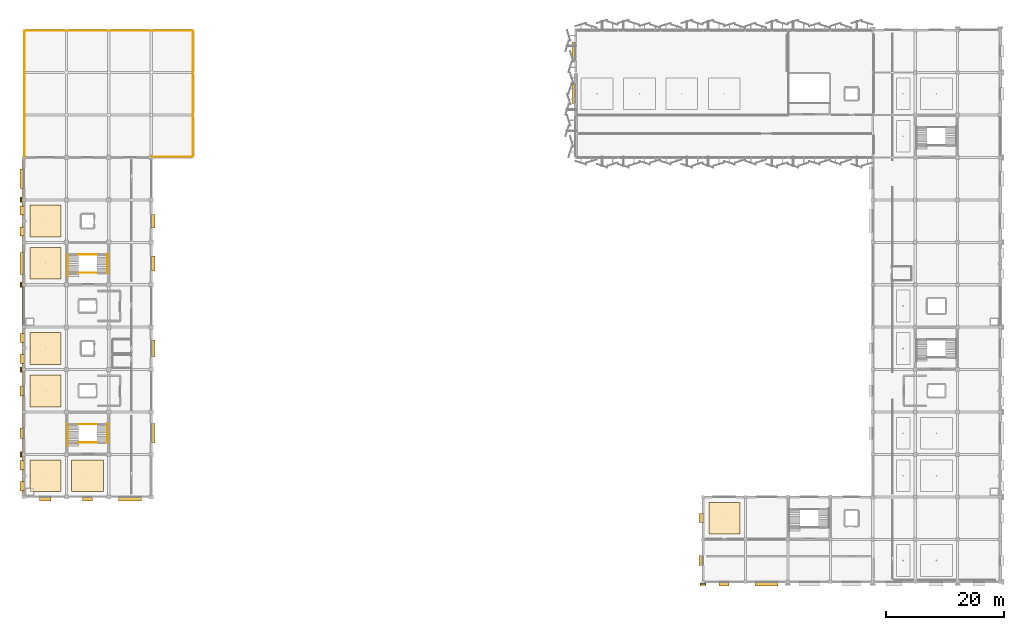
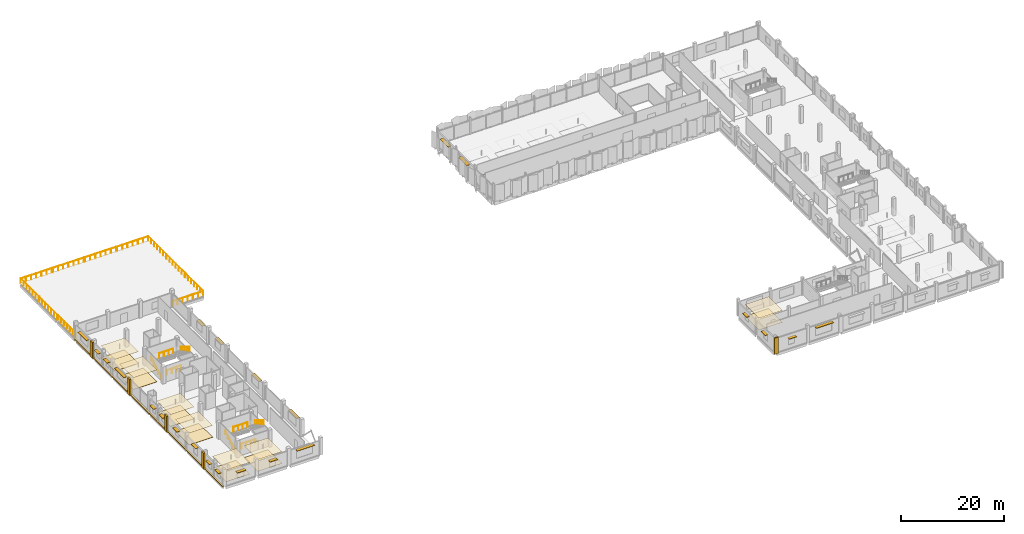
# One storey, part 75 of 77: 23 shading devices, 20 coverings, 19 railings.
"""IFC4 building model written with IfcOpenShell, lengths in metres."""

from ifc_helpers import new_model, si_unit, direction, frame, origin, origin_2d, place, context, subcontext, project, spatial, polyline, rectangle, circle, outline, extrude, material, layer, layer_set, type_object, element, save


model = new_model("IFC4")

# Units and contexts
model_context = context("Model", 3, precision=1e-05, world=origin(), true_north=direction((0.0, 1.0)))
body_context = subcontext(model_context, "Body", "Model", "MODEL_VIEW")
ifc_project = project(units=[si_unit("LENGTHUNIT", "METRE"), si_unit("AREAUNIT", "SQUARE_METRE"), si_unit("VOLUMEUNIT", "CUBIC_METRE"), si_unit("PLANEANGLEUNIT", "RADIAN"), si_unit("MASSUNIT", "GRAM", prefix="KILO")], contexts=[model_context])

# Site, building, storey
site_placement = place(None, origin())
site = spatial("IfcSite", under=ifc_project, at=site_placement, CompositionType="ELEMENT")
building_placement = place(site_placement, origin())
building = spatial("IfcBuilding", under=site, at=building_placement, Name="Kangsadwip Square Police Headquarters", CompositionType="ELEMENT")
storey_placement = place(building_placement, frame((0.0, 0.0, 17.550048828125)))
storey = spatial("IfcBuildingStorey", under=building, at=storey_placement, Name="L04", CompositionType="ELEMENT", Elevation=17.550048828125)

# Railings
ifc_material_1 = material(Name="Structural steel IS 2062 E250 (Grade 250, 250 MPa)", Category="steel")
railing_type_1 = type_object("IfcRailingType", Name="BalustradeGuard1100", PredefinedType="BALUSTRADE", material=ifc_material_1)
for number, where, name in (
    (1, (0.1201171875, 115.080078125, 0.0), "Terrace Balustrade GR-L04-012"),
    (2, (7.320068359375, 115.080078125, 0.0), "Terrace Balustrade GR-L04-013"),
    (3, (14.52001953125, 115.080078125, 0.0), "Terrace Balustrade GR-L04-014"),
    (4, (21.719970703125, 115.080078125, 0.0), "Terrace Balustrade GR-L04-015"),
    (5, (21.719970703125, 93.719970703125, 0.0), "Terrace Balustrade GR-L04-016"),
):
    element("IfcRailing", number, at=place(storey_placement, frame(where)), inside=storey, type_object=railing_type_1, Name=name, PredefinedType="BALUSTRADE", context=body_context, shape_type="SweptSolid", body=[
        extrude(circle(Radius=0.02392578125, at=origin_2d()), frame((0.0, 0.0, 1.09619140625), z_axis=(1.0, 0.0, 0.0), x_axis=(0.0, 1.0, 0.0)), (0.0, 0.0, 1.0), 6.9599609375),
        extrude(circle(Radius=0.02099609375, at=origin_2d()), origin(), (0.0, 0.0, 1.0), 1.072021484375),
        extrude(circle(Radius=0.02099609375, at=origin_2d()), frame((1.159912109375, 0.0, 0.0)), (0.0, 0.0, 1.0), 1.072021484375),
        extrude(circle(Radius=0.02099609375, at=origin_2d()), frame((2.320068359375, 0.0, 0.0)), (0.0, 0.0, 1.0), 1.072021484375),
        extrude(circle(Radius=0.02099609375, at=origin_2d()), frame((3.47998046875, 0.0, 0.0)), (0.0, 0.0, 1.0), 1.072021484375),
        extrude(circle(Radius=0.02099609375, at=origin_2d()), frame((4.639892578125, 0.0, 0.0)), (0.0, 0.0, 1.0), 1.072021484375),
        extrude(circle(Radius=0.02099609375, at=origin_2d()), frame((5.800048828125, 0.0, 0.0)), (0.0, 0.0, 1.0), 1.072021484375),
        extrude(circle(Radius=0.02099609375, at=origin_2d()), frame((6.9599609375, 0.0, 0.0)), (0.0, 0.0, 1.0), 1.072021484375),
    ])
for number, where, name in (
    (6, (28.679931640625, 93.719970703125, 0.0), "Terrace Balustrade GR-L04-017"),
    (7, (0.1201171875, 93.719970703125, 0.0), "Terrace Balustrade GR-L04-018"),
    (8, (28.679931640625, 100.919921875, 0.0), "Terrace Balustrade GR-L04-019"),
    (9, (0.1201171875, 100.919921875, 0.0), "Terrace Balustrade GR-L04-020"),
    (10, (28.679931640625, 108.1201171875, 0.0), "Terrace Balustrade GR-L04-021"),
    (11, (0.1201171875, 108.1201171875, 0.0), "Terrace Balustrade GR-L04-022"),
):
    element("IfcRailing", number, at=place(storey_placement, frame(where)), inside=storey, type_object=railing_type_1, Name=name, PredefinedType="BALUSTRADE", context=body_context, shape_type="SweptSolid", body=[
        extrude(circle(Radius=0.02392578125, at=origin_2d()), frame((0.0, 0.0, 1.09619140625), z_axis=(0.0, 1.0, 0.0), x_axis=(-1.0, 0.0, 0.0)), (0.0, 0.0, 1.0), 6.9599609375),
        extrude(circle(Radius=0.02099609375, at=origin_2d()), origin(), (0.0, 0.0, 1.0), 1.072021484375),
        extrude(circle(Radius=0.02099609375, at=origin_2d()), frame((0.0, 1.159912109375, 0.0)), (0.0, 0.0, 1.0), 1.072021484375),
        extrude(circle(Radius=0.02099609375, at=origin_2d()), frame((0.0, 2.320068359375, 0.0)), (0.0, 0.0, 1.0), 1.072021484375),
        extrude(circle(Radius=0.02099609375, at=origin_2d()), frame((0.0, 3.47998046875, 0.0)), (0.0, 0.0, 1.0), 1.072021484375),
        extrude(circle(Radius=0.02099609375, at=origin_2d()), frame((0.0, 4.639892578125, 0.0)), (0.0, 0.0, 1.0), 1.072021484375),
        extrude(circle(Radius=0.02099609375, at=origin_2d()), frame((0.0, 5.800048828125, 0.0)), (0.0, 0.0, 1.0), 1.072021484375),
        extrude(circle(Radius=0.02099609375, at=origin_2d()), frame((0.0, 6.9599609375, 0.0)), (0.0, 0.0, 1.0), 1.072021484375),
    ])
for number, where, name in (
    (12, (9.22998046875, 45.239990234375, 0.0), "Stair Guard ST-01 L04-20"),
    (13, (9.22998046875, 48.320068359375, 2.10595703125), "Stair Guard ST-01 L04-21"),
    (14, (9.22998046875, 74.0400390625, 0.0), "Stair Guard ST-02 L04-55"),
    (15, (9.22998046875, 77.1201171875, 2.10595703125), "Stair Guard ST-02 L04-56"),
):
    element("IfcRailing", number, at=place(storey_placement, frame(where)), inside=storey, type_object=railing_type_1, Name=name, PredefinedType="BALUSTRADE", context=body_context, shape_type="SweptSolid", body=[
        extrude(circle(Radius=0.02392578125, at=origin_2d()), frame((0.0, 0.0, 1.09619140625), z_axis=(1.0, 0.0, 0.0), x_axis=(0.0, 1.0, 0.0)), (0.0, 0.0, 1.0), 3.14013671875),
        extrude(circle(Radius=0.02099609375, at=origin_2d()), origin(), (0.0, 0.0, 1.0), 1.072021484375),
        extrude(circle(Radius=0.02099609375, at=origin_2d()), frame((1.046630859375, 0.0, 0.0)), (0.0, 0.0, 1.0), 1.072021484375),
        extrude(circle(Radius=0.02099609375, at=origin_2d()), frame((2.093505859375, 0.0, 0.0)), (0.0, 0.0, 1.0), 1.072021484375),
        extrude(circle(Radius=0.02099609375, at=origin_2d()), frame((3.14013671875, 0.0, 0.0)), (0.0, 0.0, 1.0), 1.072021484375),
    ])

# Coverings
ifc_material_2 = material(Name="Seamless anti-static epoxy and polished Kota stone interior flooring", Category="masonry")
ifc_layer_1 = layer(ifc_material_2, 0.02001953125)
ifc_layer_set_1 = layer_set([ifc_layer_1], Name="Seamless anti-static epoxy and polished Kota stone interior flooring")
covering_type_1 = type_object("IfcCoveringType", Name="InteriorStoneEpoxyFloor", PredefinedType="FLOORING", material=ifc_layer_set_1)
covering_1_placement = place(storey_placement, origin())
element("IfcCovering", 16, at=covering_1_placement, inside=storey, type_object=covering_type_1, Name="Interior Floor Finish L04-143", PredefinedType="FLOORING", context=body_context, shape_type="SweptSolid", body=[
    extrude(outline(polyline([(1.0, 36.89990234375), (6.300048828125, 36.89990234375), (6.300048828125, 42.300048828125), (1.0, 42.300048828125), (1.0, 36.89990234375)])), origin(), (0.0, 0.0, 1.0), 0.02001953125),
])
covering_2_placement = place(storey_placement, origin())
element("IfcCovering", 17, at=covering_2_placement, inside=storey, type_object=covering_type_1, Name="Interior Floor Finish L04-144", PredefinedType="FLOORING", context=body_context, shape_type="SweptSolid", body=[
    extrude(outline(polyline([(8.10009765625, 36.89990234375), (13.5, 36.89990234375), (13.5, 42.300048828125), (8.10009765625, 42.300048828125), (8.10009765625, 36.89990234375)])), origin(), (0.0, 0.0, 1.0), 0.02001953125),
])
covering_3_placement = place(storey_placement, origin())
element("IfcCovering", 18, at=covering_3_placement, inside=storey, type_object=covering_type_1, Name="Interior Floor Finish L04-145", PredefinedType="FLOORING", context=body_context, shape_type="SweptSolid", body=[
    extrude(outline(polyline([(1.0, 51.300048828125), (6.300048828125, 51.300048828125), (6.300048828125, 56.699951171875), (1.0, 56.699951171875), (1.0, 51.300048828125)])), origin(), (0.0, 0.0, 1.0), 0.02001953125),
])
covering_4_placement = place(storey_placement, origin())
element("IfcCovering", 19, at=covering_4_placement, inside=storey, type_object=covering_type_1, Name="Interior Floor Finish L04-146", PredefinedType="FLOORING", context=body_context, shape_type="SweptSolid", body=[
    extrude(outline(polyline([(1.0, 58.5), (6.300048828125, 58.5), (6.300048828125, 63.89990234375), (1.0, 63.89990234375), (1.0, 58.5)])), origin(), (0.0, 0.0, 1.0), 0.02001953125),
])
covering_5_placement = place(storey_placement, origin())
element("IfcCovering", 20, at=covering_5_placement, inside=storey, type_object=covering_type_1, Name="Interior Floor Finish L04-147", PredefinedType="FLOORING", context=body_context, shape_type="SweptSolid", body=[
    extrude(outline(polyline([(1.0, 72.949951171875), (6.300048828125, 72.949951171875), (6.300048828125, 78.300048828125), (1.0, 78.300048828125), (1.0, 72.949951171875)])), origin(), (0.0, 0.0, 1.0), 0.02001953125),
])
covering_6_placement = place(storey_placement, origin())
element("IfcCovering", 21, at=covering_6_placement, inside=storey, type_object=covering_type_1, Name="Interior Floor Finish L04-148", PredefinedType="FLOORING", context=body_context, shape_type="SweptSolid", body=[
    extrude(outline(polyline([(1.0, 80.10009765625), (6.300048828125, 80.10009765625), (6.300048828125, 85.5), (1.0, 85.5), (1.0, 80.10009765625)])), origin(), (0.0, 0.0, 1.0), 0.02001953125),
])
covering_7_placement = place(storey_placement, origin())
element("IfcCovering", 22, at=covering_7_placement, inside=storey, type_object=covering_type_1, Name="Interior Floor Finish L04-155", PredefinedType="FLOORING", context=body_context, shape_type="SweptSolid", body=[
    extrude(outline(polyline([(116.199951171875, 29.699951171875), (121.5, 29.699951171875), (121.5, 35.10009765625), (116.199951171875, 35.10009765625), (116.199951171875, 29.699951171875)])), origin(), (0.0, 0.0, 1.0), 0.02001953125),
])

# Railings
ifc_material_3 = material(Name="Structural steel IS 2062 E250 (Grade 250, 250 MPa)", Category="steel")
railing_type_2 = type_object("IfcRailingType", Name="StairPitchHandrail900", PredefinedType="HANDRAIL", material=ifc_material_3)
railing_1_placement = place(storey_placement, frame((7.43994140625, 44.639892578125, 0.0)))
element("IfcRailing", 23, at=railing_1_placement, inside=storey, type_object=railing_type_2, Name="Stair Handrail ST-01 L04-22", PredefinedType="HANDRAIL", context=body_context, shape_type="SweptSolid", body=[
    extrude(circle(Radius=0.02392578125, at=origin_2d()), frame((0.0, 0.0, 0.8759765625), z_axis=(0.0, 0.87023930122, 0.492629230367), x_axis=(-1.0, 0.0, 0.0)), (0.0, 0.0, 1.0), 4.27490234375),
    extrude(circle(Radius=0.02099609375, at=origin_2d()), origin(), (0.0, 0.0, 1.0), 0.851806640625),
    extrude(circle(Radius=0.02099609375, at=origin_2d()), frame((0.0, 0.93017578125, 0.5263671875)), (0.0, 0.0, 1.0), 0.851806640625),
    extrude(circle(Radius=0.02099609375, at=origin_2d()), frame((0.0, 1.860107421875, 1.052978515625)), (0.0, 0.0, 1.0), 0.851806640625),
    extrude(circle(Radius=0.02099609375, at=origin_2d()), frame((0.0, 2.7900390625, 1.57958984375)), (0.0, 0.0, 1.0), 0.851806640625),
    extrude(circle(Radius=0.02099609375, at=origin_2d()), frame((0.0, 3.72021484375, 2.10595703125)), (0.0, 0.0, 1.0), 0.851806640625),
])
railing_2_placement = place(storey_placement, frame((14.159912109375, 48.4599609375, 2.10595703125)))
element("IfcRailing", 24, at=railing_2_placement, inside=storey, type_object=railing_type_2, Name="Stair Handrail ST-01 L04-23", PredefinedType="HANDRAIL", context=body_context, shape_type="SweptSolid", body=[
    extrude(circle(Radius=0.02392578125, at=origin_2d()), frame((0.0, 0.0, 0.8759765625), z_axis=(0.0, -0.860248887005, 0.509874349626), x_axis=(1.0, 0.0, 0.0)), (0.0, 0.0, 1.0), 3.81298828125),
    extrude(circle(Radius=0.02099609375, at=origin_2d()), origin(), (0.0, 0.0, 1.0), 0.851806640625),
    extrude(circle(Radius=0.02099609375, at=origin_2d()), frame((0.0, -0.820068359375, 0.486083984375)), (0.0, 0.0, 1.0), 0.851806640625),
    extrude(circle(Radius=0.02099609375, at=origin_2d()), frame((0.0, -1.64013671875, 0.97216796875)), (0.0, 0.0, 1.0), 0.851806640625),
    extrude(circle(Radius=0.02099609375, at=origin_2d()), frame((0.0, -2.4599609375, 1.4580078125)), (0.0, 0.0, 1.0), 0.851806640625),
    extrude(circle(Radius=0.02099609375, at=origin_2d()), frame((0.0, -3.280029296875, 1.944091796875)), (0.0, 0.0, 1.0), 0.851806640625),
])
railing_3_placement = place(storey_placement, frame((7.43994140625, 73.43994140625, 0.0)))
element("IfcRailing", 25, at=railing_3_placement, inside=storey, type_object=railing_type_2, Name="Stair Handrail ST-02 L04-57", PredefinedType="HANDRAIL", context=body_context, shape_type="SweptSolid", body=[
    extrude(circle(Radius=0.02392578125, at=origin_2d()), frame((0.0, 0.0, 0.8759765625), z_axis=(0.0, 0.870225440575, 0.492653714668), x_axis=(-1.0, 0.0, 0.0)), (0.0, 0.0, 1.0), 4.274658203125),
    extrude(circle(Radius=0.02099609375, at=origin_2d()), origin(), (0.0, 0.0, 1.0), 0.851806640625),
    extrude(circle(Radius=0.02099609375, at=origin_2d()), frame((0.0, 0.929931640625, 0.5263671875)), (0.0, 0.0, 1.0), 0.851806640625),
    extrude(circle(Radius=0.02099609375, at=origin_2d()), frame((0.0, 1.85986328125, 1.052978515625)), (0.0, 0.0, 1.0), 0.851806640625),
    extrude(circle(Radius=0.02099609375, at=origin_2d()), frame((0.0, 2.7900390625, 1.57958984375)), (0.0, 0.0, 1.0), 0.851806640625),
    extrude(circle(Radius=0.02099609375, at=origin_2d()), frame((0.0, 3.719970703125, 2.10595703125)), (0.0, 0.0, 1.0), 0.851806640625),
])
railing_4_placement = place(storey_placement, frame((14.159912109375, 77.260009765625, 2.10595703125)))
element("IfcRailing", 26, at=railing_4_placement, inside=storey, type_object=railing_type_2, Name="Stair Handrail ST-02 L04-58", PredefinedType="HANDRAIL", context=body_context, shape_type="SweptSolid", body=[
    extrude(circle(Radius=0.02392578125, at=origin_2d()), frame((0.0, 0.0, 0.8759765625), z_axis=(0.0, -0.860248887005, 0.509874349626), x_axis=(1.0, 0.0, 0.0)), (0.0, 0.0, 1.0), 3.81298828125),
    extrude(circle(Radius=0.02099609375, at=origin_2d()), origin(), (0.0, 0.0, 1.0), 0.851806640625),
    extrude(circle(Radius=0.02099609375, at=origin_2d()), frame((0.0, -0.820068359375, 0.486083984375)), (0.0, 0.0, 1.0), 0.851806640625),
    extrude(circle(Radius=0.02099609375, at=origin_2d()), frame((0.0, -1.64013671875, 0.97216796875)), (0.0, 0.0, 1.0), 0.851806640625),
    extrude(circle(Radius=0.02099609375, at=origin_2d()), frame((0.0, -2.4599609375, 1.4580078125)), (0.0, 0.0, 1.0), 0.851806640625),
    extrude(circle(Radius=0.02099609375, at=origin_2d()), frame((0.0, -3.280029296875, 1.944091796875)), (0.0, 0.0, 1.0), 0.851806640625),
])

# Coverings
ifc_material_4 = material(Name="Perforated mineral-fibre and acoustic baffle suspended ceiling", Category="wood")
ifc_layer_2 = layer(ifc_material_4, 0.02490234375)
ifc_layer_set_2 = layer_set([ifc_layer_2], Name="Perforated mineral-fibre and acoustic baffle suspended ceiling")
covering_type_2 = type_object("IfcCoveringType", Name="SuspendedAcousticCeiling", PredefinedType="CEILING", material=ifc_layer_set_2)
covering_8_placement = place(storey_placement, frame((0.0, 0.0, 2.800048828125)))
element("IfcCovering", 27, at=covering_8_placement, inside=storey, type_object=covering_type_2, Name="Suspended Acoustic Ceiling L04-143", PredefinedType="CEILING", context=body_context, shape_type="SweptSolid", body=[
    extrude(outline(polyline([(1.0, 36.89990234375), (6.300048828125, 36.89990234375), (6.300048828125, 42.300048828125), (1.0, 42.300048828125), (1.0, 36.89990234375)])), origin(), (0.0, 0.0, 1.0), 0.02490234375),
])
covering_9_placement = place(storey_placement, frame((0.0, 0.0, 2.800048828125)))
element("IfcCovering", 28, at=covering_9_placement, inside=storey, type_object=covering_type_2, Name="Suspended Acoustic Ceiling L04-144", PredefinedType="CEILING", context=body_context, shape_type="SweptSolid", body=[
    extrude(outline(polyline([(8.10009765625, 36.89990234375), (13.5, 36.89990234375), (13.5, 42.300048828125), (8.10009765625, 42.300048828125), (8.10009765625, 36.89990234375)])), origin(), (0.0, 0.0, 1.0), 0.02490234375),
])
covering_10_placement = place(storey_placement, frame((0.0, 0.0, 2.800048828125)))
element("IfcCovering", 29, at=covering_10_placement, inside=storey, type_object=covering_type_2, Name="Suspended Acoustic Ceiling L04-145", PredefinedType="CEILING", context=body_context, shape_type="SweptSolid", body=[
    extrude(outline(polyline([(1.0, 51.300048828125), (6.300048828125, 51.300048828125), (6.300048828125, 56.699951171875), (1.0, 56.699951171875), (1.0, 51.300048828125)])), origin(), (0.0, 0.0, 1.0), 0.02490234375),
])
covering_11_placement = place(storey_placement, frame((0.0, 0.0, 2.800048828125)))
element("IfcCovering", 30, at=covering_11_placement, inside=storey, type_object=covering_type_2, Name="Suspended Acoustic Ceiling L04-146", PredefinedType="CEILING", context=body_context, shape_type="SweptSolid", body=[
    extrude(outline(polyline([(1.0, 58.5), (6.300048828125, 58.5), (6.300048828125, 63.89990234375), (1.0, 63.89990234375), (1.0, 58.5)])), origin(), (0.0, 0.0, 1.0), 0.02490234375),
])
covering_12_placement = place(storey_placement, frame((0.0, 0.0, 2.800048828125)))
element("IfcCovering", 31, at=covering_12_placement, inside=storey, type_object=covering_type_2, Name="Suspended Acoustic Ceiling L04-147", PredefinedType="CEILING", context=body_context, shape_type="SweptSolid", body=[
    extrude(outline(polyline([(1.0, 72.949951171875), (6.300048828125, 72.949951171875), (6.300048828125, 78.300048828125), (1.0, 78.300048828125), (1.0, 72.949951171875)])), origin(), (0.0, 0.0, 1.0), 0.02490234375),
])
covering_13_placement = place(storey_placement, frame((0.0, 0.0, 2.800048828125)))
element("IfcCovering", 32, at=covering_13_placement, inside=storey, type_object=covering_type_2, Name="Suspended Acoustic Ceiling L04-148", PredefinedType="CEILING", context=body_context, shape_type="SweptSolid", body=[
    extrude(outline(polyline([(1.0, 80.10009765625), (6.300048828125, 80.10009765625), (6.300048828125, 85.5), (1.0, 85.5), (1.0, 80.10009765625)])), origin(), (0.0, 0.0, 1.0), 0.02490234375),
])
covering_14_placement = place(storey_placement, frame((0.0, 0.0, 2.800048828125)))
element("IfcCovering", 33, at=covering_14_placement, inside=storey, type_object=covering_type_2, Name="Suspended Acoustic Ceiling L04-155", PredefinedType="CEILING", context=body_context, shape_type="SweptSolid", body=[
    extrude(outline(polyline([(116.199951171875, 29.699951171875), (121.5, 29.699951171875), (121.5, 35.10009765625), (116.199951171875, 35.10009765625), (116.199951171875, 29.699951171875)])), origin(), (0.0, 0.0, 1.0), 0.02490234375),
])
ifc_material_5 = material(Name="Glazed architectural terracotta masonry rainscreen", Category="masonry")
ifc_layer_3 = layer(ifc_material_5, 0.034912109375)
ifc_layer_set_3 = layer_set([ifc_layer_3], Name="Glazed architectural terracotta masonry rainscreen")
covering_type_3 = type_object("IfcCoveringType", Name="TerracottaPierCladding", PredefinedType="CLADDING", material=ifc_layer_set_3)
covering_15_placement = place(storey_placement, origin())
element("IfcCovering", 34, at=covering_15_placement, inside=storey, type_object=covering_type_3, Name="Terracotta Pier Cladding L04-106", PredefinedType="CLADDING", context=body_context, shape_type="SweptSolid", body=[
    extrude(outline(polyline([(-0.64990234375, 42.760009765625), (-0.330078125, 42.760009765625), (-0.330078125, 43.639892578125), (-0.64990234375, 43.639892578125), (-0.64990234375, 42.760009765625)])), origin(), (0.0, 0.0, 1.0), 3.800048828125),
])
covering_16_placement = place(storey_placement, origin())
element("IfcCovering", 35, at=covering_16_placement, inside=storey, type_object=covering_type_3, Name="Terracotta Pier Cladding L04-107", PredefinedType="CLADDING", context=body_context, shape_type="SweptSolid", body=[
    extrude(outline(polyline([(-0.64990234375, 57.159912109375), (-0.330078125, 57.159912109375), (-0.330078125, 58.0400390625), (-0.64990234375, 58.0400390625), (-0.64990234375, 57.159912109375)])), origin(), (0.0, 0.0, 1.0), 3.800048828125),
])
covering_17_placement = place(storey_placement, origin())
element("IfcCovering", 36, at=covering_17_placement, inside=storey, type_object=covering_type_3, Name="Terracotta Pier Cladding L04-108", PredefinedType="CLADDING", context=body_context, shape_type="SweptSolid", body=[
    extrude(outline(polyline([(-0.64990234375, 71.56005859375), (-0.330078125, 71.56005859375), (-0.330078125, 72.43994140625), (-0.64990234375, 72.43994140625), (-0.64990234375, 71.56005859375)])), origin(), (0.0, 0.0, 1.0), 3.800048828125),
])
covering_18_placement = place(storey_placement, origin())
element("IfcCovering", 37, at=covering_18_placement, inside=storey, type_object=covering_type_3, Name="Terracotta Pier Cladding L04-109", PredefinedType="CLADDING", context=body_context, shape_type="SweptSolid", body=[
    extrude(outline(polyline([(-0.64990234375, 85.9599609375), (-0.330078125, 85.9599609375), (-0.330078125, 86.840087890625), (-0.64990234375, 86.840087890625), (-0.64990234375, 85.9599609375)])), origin(), (0.0, 0.0, 1.0), 3.800048828125),
])
covering_19_placement = place(storey_placement, origin())
element("IfcCovering", 38, at=covering_19_placement, inside=storey, type_object=covering_type_3, Name="Terracotta Pier Cladding L04-120", PredefinedType="CLADDING", context=body_context, shape_type="SweptSolid", body=[
    extrude(outline(polyline([(114.760009765625, 21.050048828125), (115.639892578125, 21.050048828125), (115.639892578125, 21.3701171875), (114.760009765625, 21.3701171875), (114.760009765625, 21.050048828125)])), origin(), (0.0, 0.0, 1.0), 3.800048828125),
])
covering_20_placement = place(storey_placement, frame((0.0, 0.0, -0.239990234375)))
element("IfcCovering", 39, at=covering_20_placement, inside=storey, type_object=covering_type_3, Name="Terracotta Cornice Belt L04-155", PredefinedType="CLADDING", context=body_context, shape_type="SweptSolid", body=[
    extrude(outline(polyline([(-0.320068359375, 36.0), (0.02001953125, 36.0), (0.02001953125, 93.60009765625), (-0.320068359375, 93.60009765625), (-0.320068359375, 36.0)])), origin(), (0.0, 0.0, 1.0), 0.260009765625),
])

# Shading devices
ifc_material_6 = material(Name="Architectural terracotta and anodised aluminium AW-6061-T6", Category="aluminium")
shading_device_type = type_object("IfcShadingDeviceType", Name="TerracottaChhajjaAwning", PredefinedType="AWNING", material=ifc_material_6)
shading_device_1_placement = place(storey_placement, frame((118.78759765625, 21.300048828125, 2.46484375), z_axis=(0.0, 0.0, 1.0), x_axis=(1.0, 0.0, 0.0)))
element("IfcShadingDevice", 40, at=shading_device_1_placement, inside=storey, type_object=shading_device_type, Name="Terracotta Chhajja Hood CHJ-L04-0209", PredefinedType="AWNING", context=body_context, shape_type="SweptSolid", body=[
    extrude(rectangle(XDim=1.699951171875, YDim=0.719970703125, at=origin_2d()), origin(), (0.0, 0.0, 1.0), 0.090087890625),
])
shading_device_2_placement = place(storey_placement, frame((125.987548828125, 21.300048828125, 2.9150390625), z_axis=(0.0, 0.0, 1.0), x_axis=(1.0, 0.0, 0.0)))
element("IfcShadingDevice", 41, at=shading_device_2_placement, inside=storey, type_object=shading_device_type, Name="Terracotta Chhajja Hood CHJ-L04-0210", PredefinedType="AWNING", context=body_context, shape_type="SweptSolid", body=[
    extrude(rectangle(XDim=3.89990234375, YDim=0.719970703125, at=origin_2d()), origin(), (0.0, 0.0, 1.0), 0.090087890625),
])
shading_device_3_placement = place(storey_placement, frame((3.60009765625, 35.699951171875, 2.4150390625), z_axis=(0.0, 0.0, 1.0), x_axis=(1.0, 0.0, 0.0)))
element("IfcShadingDevice", 42, at=shading_device_3_placement, inside=storey, type_object=shading_device_type, Name="Terracotta Chhajja Hood CHJ-L04-0216", PredefinedType="AWNING", context=body_context, shape_type="SweptSolid", body=[
    extrude(rectangle(XDim=1.949951171875, YDim=0.719970703125, at=origin_2d()), origin(), (0.0, 0.0, 1.0), 0.090087890625),
])
shading_device_4_placement = place(storey_placement, frame((10.800048828125, 35.699951171875, 2.46484375), z_axis=(0.0, 0.0, 1.0), x_axis=(1.0, 0.0, 0.0)))
element("IfcShadingDevice", 43, at=shading_device_4_placement, inside=storey, type_object=shading_device_type, Name="Terracotta Chhajja Hood CHJ-L04-0217", PredefinedType="AWNING", context=body_context, shape_type="SweptSolid", body=[
    extrude(rectangle(XDim=1.699951171875, YDim=0.719970703125, at=origin_2d()), origin(), (0.0, 0.0, 1.0), 0.090087890625),
])
shading_device_5_placement = place(storey_placement, frame((18.0, 35.699951171875, 2.9150390625), z_axis=(0.0, 0.0, 1.0), x_axis=(1.0, 0.0, 0.0)))
element("IfcShadingDevice", 44, at=shading_device_5_placement, inside=storey, type_object=shading_device_type, Name="Terracotta Chhajja Hood CHJ-L04-0218", PredefinedType="AWNING", context=body_context, shape_type="SweptSolid", body=[
    extrude(rectangle(XDim=3.89990234375, YDim=0.719970703125, at=origin_2d()), origin(), (0.0, 0.0, 1.0), 0.090087890625),
])
for number, where, z_axis, x_axis, name in (
    (45, (-0.300048828125, 37.824951171875, 2.36474609375), (0.0, 0.0, 1.0), (0.0, 1.0, 0.0), "Terracotta Chhajja Hood CHJ-L04-0219"),
    (46, (-0.300048828125, 41.375, 2.36474609375), (0.0, 0.0, 1.0), (0.0, 1.0, 0.0), "Terracotta Chhajja Hood CHJ-L04-0220"),
):
    element("IfcShadingDevice", number, at=place(storey_placement, frame(where, z_axis=z_axis, x_axis=x_axis)), inside=storey, type_object=shading_device_type, Name=name, PredefinedType="AWNING", context=body_context, shape_type="SweptSolid", body=[
        extrude(rectangle(XDim=1.550048828125, YDim=0.719970703125, at=origin_2d()), origin(), (0.0, 0.0, 1.0), 0.090087890625),
    ])
shading_device_6_placement = place(storey_placement, frame((-0.300048828125, 46.800048828125, 2.9150390625), z_axis=(0.0, 0.0, 1.0), x_axis=(0.0, 1.0, 0.0)))
element("IfcShadingDevice", 47, at=shading_device_6_placement, inside=storey, type_object=shading_device_type, Name="Terracotta Chhajja Hood CHJ-L04-0221", PredefinedType="AWNING", context=body_context, shape_type="SweptSolid", body=[
    extrude(rectangle(XDim=1.800048828125, YDim=0.719970703125, at=origin_2d()), origin(), (0.0, 0.0, 1.0), 0.090087890625),
])
shading_device_7_placement = place(storey_placement, frame((-0.300048828125, 54.0, 2.46484375), z_axis=(0.0, 0.0, 1.0), x_axis=(0.0, 1.0, 0.0)))
element("IfcShadingDevice", 48, at=shading_device_7_placement, inside=storey, type_object=shading_device_type, Name="Terracotta Chhajja Hood CHJ-L04-0222", PredefinedType="AWNING", context=body_context, shape_type="SweptSolid", body=[
    extrude(rectangle(XDim=1.699951171875, YDim=0.719970703125, at=origin_2d()), origin(), (0.0, 0.0, 1.0), 0.090087890625),
])
for number, where, z_axis, x_axis, name in (
    (49, (-0.300048828125, 59.425048828125, 2.36474609375), (0.0, 0.0, 1.0), (0.0, 1.0, 0.0), "Terracotta Chhajja Hood CHJ-L04-0223"),
    (50, (-0.300048828125, 62.97509765625, 2.36474609375), (0.0, 0.0, 1.0), (0.0, 1.0, 0.0), "Terracotta Chhajja Hood CHJ-L04-0224"),
):
    element("IfcShadingDevice", number, at=place(storey_placement, frame(where, z_axis=z_axis, x_axis=x_axis)), inside=storey, type_object=shading_device_type, Name=name, PredefinedType="AWNING", context=body_context, shape_type="SweptSolid", body=[
        extrude(rectangle(XDim=1.550048828125, YDim=0.719970703125, at=origin_2d()), origin(), (0.0, 0.0, 1.0), 0.090087890625),
    ])
shading_device_8_placement = place(storey_placement, frame((-0.300048828125, 75.60009765625, 2.86474609375), z_axis=(0.0, 0.0, 1.0), x_axis=(0.0, 1.0, 0.0)))
element("IfcShadingDevice", 51, at=shading_device_8_placement, inside=storey, type_object=shading_device_type, Name="Terracotta Chhajja Hood CHJ-L04-0225", PredefinedType="AWNING", context=body_context, shape_type="SweptSolid", body=[
    extrude(rectangle(XDim=3.699951171875, YDim=0.719970703125, at=origin_2d()), origin(), (0.0, 0.0, 1.0), 0.090087890625),
])
for number, where, z_axis, x_axis, name in (
    (52, (-0.300048828125, 81.02490234375, 2.36474609375), (0.0, 0.0, 1.0), (0.0, 1.0, 0.0), "Terracotta Chhajja Hood CHJ-L04-0226"),
    (53, (-0.300048828125, 84.574951171875, 2.36474609375), (0.0, 0.0, 1.0), (0.0, 1.0, 0.0), "Terracotta Chhajja Hood CHJ-L04-0227"),
):
    element("IfcShadingDevice", number, at=place(storey_placement, frame(where, z_axis=z_axis, x_axis=x_axis)), inside=storey, type_object=shading_device_type, Name=name, PredefinedType="AWNING", context=body_context, shape_type="SweptSolid", body=[
        extrude(rectangle(XDim=1.550048828125, YDim=0.719970703125, at=origin_2d()), origin(), (0.0, 0.0, 1.0), 0.090087890625),
    ])
for number, where, z_axis, x_axis, name in (
    (54, (-0.300048828125, 90.0, 2.76513671875), (0.0, 0.0, 1.0), (0.0, 1.0, 0.0), "Terracotta Chhajja Hood CHJ-L04-0228"),
    (55, (21.89990234375, 46.800048828125, 2.76513671875), (0.0, 0.0, 1.0), (0.0, 1.0, 0.0), "Terracotta Chhajja Hood CHJ-L04-0229"),
):
    element("IfcShadingDevice", number, at=place(storey_placement, frame(where, z_axis=z_axis, x_axis=x_axis)), inside=storey, type_object=shading_device_type, Name=name, PredefinedType="AWNING", context=body_context, shape_type="SweptSolid", body=[
        extrude(rectangle(XDim=3.300048828125, YDim=0.719970703125, at=origin_2d()), origin(), (0.0, 0.0, 1.0), 0.090087890625),
    ])
shading_device_9_placement = place(storey_placement, frame((21.89990234375, 61.199951171875, 2.6650390625), z_axis=(0.0, 0.0, 1.0), x_axis=(0.0, 1.0, 0.0)))
element("IfcShadingDevice", 56, at=shading_device_9_placement, inside=storey, type_object=shading_device_type, Name="Terracotta Chhajja Hood CHJ-L04-0230", PredefinedType="AWNING", context=body_context, shape_type="SweptSolid", body=[
    extrude(rectangle(XDim=2.89990234375, YDim=0.719970703125, at=origin_2d()), origin(), (0.0, 0.0, 1.0), 0.090087890625),
])
shading_device_10_placement = place(storey_placement, frame((21.89990234375, 75.60009765625, 2.56494140625), z_axis=(0.0, 0.0, 1.0), x_axis=(0.0, 1.0, 0.0)))
element("IfcShadingDevice", 57, at=shading_device_10_placement, inside=storey, type_object=shading_device_type, Name="Terracotta Chhajja Hood CHJ-L04-0231", PredefinedType="AWNING", context=body_context, shape_type="SweptSolid", body=[
    extrude(rectangle(XDim=2.5, YDim=0.719970703125, at=origin_2d()), origin(), (0.0, 0.0, 1.0), 0.090087890625),
])
shading_device_11_placement = place(storey_placement, frame((21.89990234375, 82.800048828125, 2.51513671875), z_axis=(0.0, 0.0, 1.0), x_axis=(0.0, 1.0, 0.0)))
element("IfcShadingDevice", 58, at=shading_device_11_placement, inside=storey, type_object=shading_device_type, Name="Terracotta Chhajja Hood CHJ-L04-0232", PredefinedType="AWNING", context=body_context, shape_type="SweptSolid", body=[
    extrude(rectangle(XDim=2.300048828125, YDim=0.719970703125, at=origin_2d()), origin(), (0.0, 0.0, 1.0), 0.090087890625),
])
shading_device_12_placement = place(storey_placement, frame((93.300048828125, 104.39990234375, 2.76513671875), z_axis=(0.0, 0.0, 1.0), x_axis=(0.0, 1.0, 0.0)))
element("IfcShadingDevice", 59, at=shading_device_12_placement, inside=storey, type_object=shading_device_type, Name="Terracotta Chhajja Hood CHJ-L04-0233", PredefinedType="AWNING", context=body_context, shape_type="SweptSolid", body=[
    extrude(rectangle(XDim=3.300048828125, YDim=0.719970703125, at=origin_2d()), origin(), (0.0, 0.0, 1.0), 0.090087890625),
])
shading_device_13_placement = place(storey_placement, frame((93.300048828125, 111.60009765625, 2.71484375), z_axis=(0.0, 0.0, 1.0), x_axis=(0.0, 1.0, 0.0)))
element("IfcShadingDevice", 60, at=shading_device_13_placement, inside=storey, type_object=shading_device_type, Name="Terracotta Chhajja Hood CHJ-L04-0234", PredefinedType="AWNING", context=body_context, shape_type="SweptSolid", body=[
    extrude(rectangle(XDim=3.10009765625, YDim=0.719970703125, at=origin_2d()), origin(), (0.0, 0.0, 1.0), 0.090087890625),
])
shading_device_14_placement = place(storey_placement, frame((114.89990234375, 25.1875, 2.46484375), z_axis=(0.0, 0.0, 1.0), x_axis=(0.0, 1.0, 0.0)))
element("IfcShadingDevice", 61, at=shading_device_14_placement, inside=storey, type_object=shading_device_type, Name="Terracotta Chhajja Hood CHJ-L04-0235", PredefinedType="AWNING", context=body_context, shape_type="SweptSolid", body=[
    extrude(rectangle(XDim=1.699951171875, YDim=0.719970703125, at=origin_2d()), origin(), (0.0, 0.0, 1.0), 0.090087890625),
])
shading_device_15_placement = place(storey_placement, frame((114.89990234375, 32.41259765625, 2.36474609375), z_axis=(0.0, 0.0, 1.0), x_axis=(0.0, 1.0, 0.0)))
element("IfcShadingDevice", 62, at=shading_device_15_placement, inside=storey, type_object=shading_device_type, Name="Terracotta Chhajja Hood CHJ-L04-0236", PredefinedType="AWNING", context=body_context, shape_type="SweptSolid", body=[
    extrude(rectangle(XDim=1.550048828125, YDim=0.719970703125, at=origin_2d()), origin(), (0.0, 0.0, 1.0), 0.090087890625),
])

save(model, "model.ifc")
